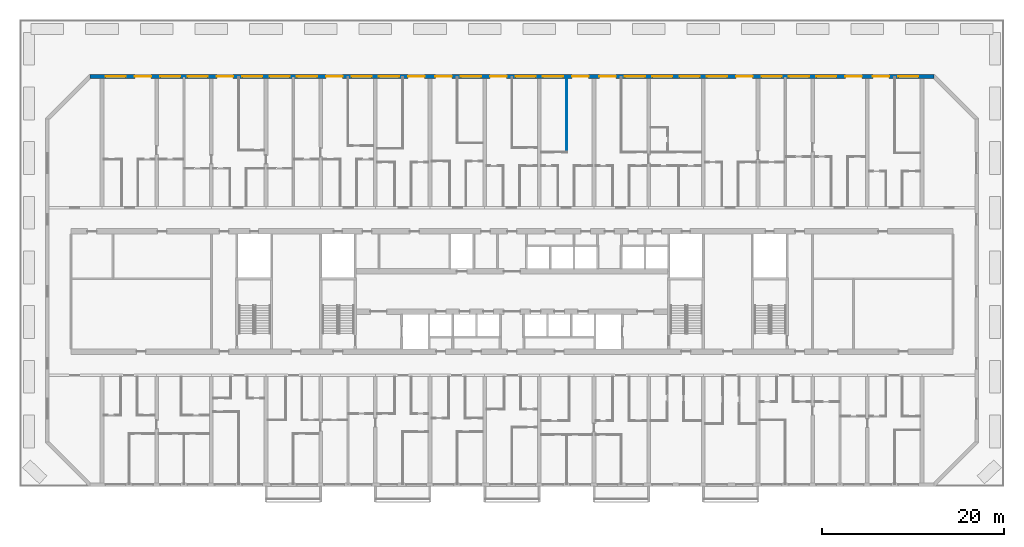
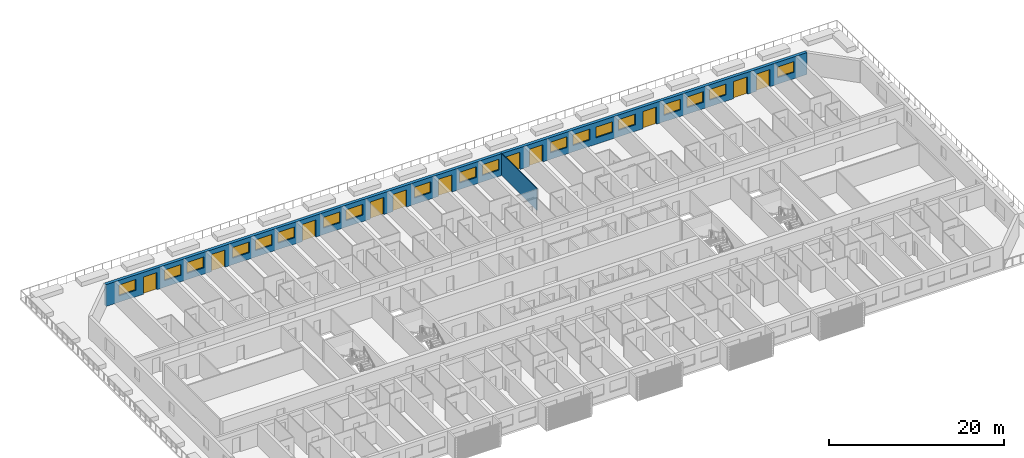
# One storey, part 14 of 23: 19 windows, 11 doors, 2 walls, 30 openings.
"""IFC4 building model written with IfcOpenShell, lengths in metres."""

from ifc_helpers import new_model, si_unit, direction, frame, frame_2d, origin, place, context, subcontext, project, spatial, rectangle, extrude, material, layer, layer_set, type_object, element, fill, save


model = new_model("IFC4")

# Units and contexts
model_context = context("Model", 3, precision=1e-05, world=origin(), true_north=direction((0.0, 1.0)))
body_context = subcontext(model_context, "Body", "Model", "MODEL_VIEW")
ifc_project = project(units=[si_unit("LENGTHUNIT", "METRE"), si_unit("AREAUNIT", "SQUARE_METRE"), si_unit("VOLUMEUNIT", "CUBIC_METRE"), si_unit("PLANEANGLEUNIT", "RADIAN"), si_unit("MASSUNIT", "GRAM", prefix="KILO")], contexts=[model_context])

# Site, building, storey
site_placement = place(None, origin())
site = spatial("IfcSite", under=ifc_project, at=site_placement, CompositionType="ELEMENT")
building_placement = place(site_placement, origin())
building = spatial("IfcBuilding", under=site, at=building_placement, Name="Poui Terraces", CompositionType="ELEMENT")
storey_placement = place(building_placement, frame((0.0, 0.0, 23.39990234375)))
storey = spatial("IfcBuildingStorey", under=building, at=storey_placement, Name="L05", CompositionType="ELEMENT", Elevation=23.39990234375)

# Wall, openings, doors, windows
ifc_material_1 = material(Name="Precast concrete 40 MPa", Category="concrete")
ifc_layer_1 = layer(ifc_material_1, 0.39990234375)
ifc_layer_set_1 = layer_set([ifc_layer_1], Name="Precast concrete 40 MPa")
wall_type_1 = type_object("IfcWallType", Name="EXTERNAL WALL 400", PredefinedType="STANDARD", material=ifc_layer_set_1)
wall_1_placement = place(storey_placement, frame((97.317138671875, 44.800048828125, 0.0), z_axis=(0.0, 0.0, 1.0), x_axis=(-1.0, 0.0, 0.0)))
wall_1 = element("IfcWall", 1, at=wall_1_placement, inside=storey, type_object=wall_type_1, Name="EXTERNAL WALL N", PredefinedType="STANDARD", context=body_context, shape_type="SweptSolid", body=[
    extrude(rectangle(XDim=92.63427734375, YDim=0.39990234375, at=frame_2d((46.317138671875, 0.0))), origin(), (0.0, 0.0, 1.0), 3.050048828125),
])
opening_1_placement = place(wall_1_placement, frame((88.71728515625, 0.0, 0.89990234375)))
opening_1 = element("IfcOpeningElement", 2, at=opening_1_placement, cuts=wall_1, Name="Opening W1", PredefinedType="OPENING", context=body_context, shape_type="SweptSolid", body=[
    extrude(rectangle(XDim=2.199951171875, YDim=1.5, at=frame_2d((1.10009765625, 0.75))), frame((0.0, 0.2099609375, 0.0), z_axis=(0.0, -1.0, 0.0), x_axis=(1.0, 0.0, 0.0)), (0.0, 0.0, 1.0), 0.419921875),
])
opening_2_placement = place(wall_1_placement, frame((85.917236328125, 0.0, 0.0)))
opening_2 = element("IfcOpeningElement", 3, at=opening_2_placement, cuts=wall_1, Name="Opening BD1", PredefinedType="OPENING", context=body_context, shape_type="SweptSolid", body=[
    extrude(rectangle(XDim=1.800048828125, YDim=2.39990234375, at=frame_2d((0.89990234375, 1.199951171875))), frame((0.0, 0.2099609375, 0.0), z_axis=(0.0, -1.0, 0.0), x_axis=(1.0, 0.0, 0.0)), (0.0, 0.0, 1.0), 0.419921875),
])
opening_3_placement = place(wall_1_placement, frame((82.71728515625, 0.0, 0.89990234375)))
opening_3 = element("IfcOpeningElement", 4, at=opening_3_placement, cuts=wall_1, Name="Opening W1", PredefinedType="OPENING", context=body_context, shape_type="SweptSolid", body=[
    extrude(rectangle(XDim=2.199951171875, YDim=1.5, at=frame_2d((1.10009765625, 0.75))), frame((0.0, 0.2099609375, 0.0), z_axis=(0.0, -1.0, 0.0), x_axis=(1.0, 0.0, 0.0)), (0.0, 0.0, 1.0), 0.419921875),
])
opening_4_placement = place(wall_1_placement, frame((79.71728515625, 0.0, 0.89990234375)))
opening_4 = element("IfcOpeningElement", 5, at=opening_4_placement, cuts=wall_1, Name="Opening W1", PredefinedType="OPENING", context=body_context, shape_type="SweptSolid", body=[
    extrude(rectangle(XDim=2.199951171875, YDim=1.5, at=frame_2d((1.10009765625, 0.75))), frame((0.0, 0.2099609375, 0.0), z_axis=(0.0, -1.0, 0.0), x_axis=(1.0, 0.0, 0.0)), (0.0, 0.0, 1.0), 0.419921875),
])
opening_5_placement = place(wall_1_placement, frame((76.917236328125, 0.0, 0.0)))
opening_5 = element("IfcOpeningElement", 6, at=opening_5_placement, cuts=wall_1, Name="Opening BD1", PredefinedType="OPENING", context=body_context, shape_type="SweptSolid", body=[
    extrude(rectangle(XDim=1.800048828125, YDim=2.39990234375, at=frame_2d((0.89990234375, 1.199951171875))), frame((0.0, 0.2099609375, 0.0), z_axis=(0.0, -1.0, 0.0), x_axis=(1.0, 0.0, 0.0)), (0.0, 0.0, 1.0), 0.419921875),
])
opening_6_placement = place(wall_1_placement, frame((73.71728515625, 0.0, 0.89990234375)))
opening_6 = element("IfcOpeningElement", 7, at=opening_6_placement, cuts=wall_1, Name="Opening W1", PredefinedType="OPENING", context=body_context, shape_type="SweptSolid", body=[
    extrude(rectangle(XDim=2.199951171875, YDim=1.5, at=frame_2d((1.10009765625, 0.75))), frame((0.0, 0.2099609375, 0.0), z_axis=(0.0, -1.0, 0.0), x_axis=(1.0, 0.0, 0.0)), (0.0, 0.0, 1.0), 0.419921875),
])
opening_7_placement = place(wall_1_placement, frame((70.71728515625, 0.0, 0.89990234375)))
opening_7 = element("IfcOpeningElement", 8, at=opening_7_placement, cuts=wall_1, Name="Opening W1", PredefinedType="OPENING", context=body_context, shape_type="SweptSolid", body=[
    extrude(rectangle(XDim=2.199951171875, YDim=1.5, at=frame_2d((1.10009765625, 0.75))), frame((0.0, 0.2099609375, 0.0), z_axis=(0.0, -1.0, 0.0), x_axis=(1.0, 0.0, 0.0)), (0.0, 0.0, 1.0), 0.419921875),
])
opening_8_placement = place(wall_1_placement, frame((67.71728515625, 0.0, 0.89990234375)))
opening_8 = element("IfcOpeningElement", 9, at=opening_8_placement, cuts=wall_1, Name="Opening W1", PredefinedType="OPENING", context=body_context, shape_type="SweptSolid", body=[
    extrude(rectangle(XDim=2.199951171875, YDim=1.5, at=frame_2d((1.10009765625, 0.75))), frame((0.0, 0.2099609375, 0.0), z_axis=(0.0, -1.0, 0.0), x_axis=(1.0, 0.0, 0.0)), (0.0, 0.0, 1.0), 0.419921875),
])
opening_9_placement = place(wall_1_placement, frame((64.917236328125, 0.0, 0.0)))
opening_9 = element("IfcOpeningElement", 10, at=opening_9_placement, cuts=wall_1, Name="Opening BD1", PredefinedType="OPENING", context=body_context, shape_type="SweptSolid", body=[
    extrude(rectangle(XDim=1.800048828125, YDim=2.39990234375, at=frame_2d((0.89990234375, 1.199951171875))), frame((0.0, 0.2099609375, 0.0), z_axis=(0.0, -1.0, 0.0), x_axis=(1.0, 0.0, 0.0)), (0.0, 0.0, 1.0), 0.419921875),
])
opening_10_placement = place(wall_1_placement, frame((61.71728515625, 0.0, 0.89990234375)))
opening_10 = element("IfcOpeningElement", 11, at=opening_10_placement, cuts=wall_1, Name="Opening W1", PredefinedType="OPENING", context=body_context, shape_type="SweptSolid", body=[
    extrude(rectangle(XDim=2.199951171875, YDim=1.5, at=frame_2d((1.10009765625, 0.75))), frame((0.0, 0.2099609375, 0.0), z_axis=(0.0, -1.0, 0.0), x_axis=(1.0, 0.0, 0.0)), (0.0, 0.0, 1.0), 0.419921875),
])
opening_11_placement = place(wall_1_placement, frame((58.71728515625, 0.0, 0.89990234375)))
opening_11 = element("IfcOpeningElement", 12, at=opening_11_placement, cuts=wall_1, Name="Opening W1", PredefinedType="OPENING", context=body_context, shape_type="SweptSolid", body=[
    extrude(rectangle(XDim=2.199951171875, YDim=1.5, at=frame_2d((1.10009765625, 0.75))), frame((0.0, 0.2099609375, 0.0), z_axis=(0.0, -1.0, 0.0), x_axis=(1.0, 0.0, 0.0)), (0.0, 0.0, 1.0), 0.419921875),
])
opening_12_placement = place(wall_1_placement, frame((55.917236328125, 0.0, 0.0)))
opening_12 = element("IfcOpeningElement", 13, at=opening_12_placement, cuts=wall_1, Name="Opening BD1", PredefinedType="OPENING", context=body_context, shape_type="SweptSolid", body=[
    extrude(rectangle(XDim=1.800048828125, YDim=2.39990234375, at=frame_2d((0.89990234375, 1.199951171875))), frame((0.0, 0.2099609375, 0.0), z_axis=(0.0, -1.0, 0.0), x_axis=(1.0, 0.0, 0.0)), (0.0, 0.0, 1.0), 0.419921875),
])
opening_13_placement = place(wall_1_placement, frame((52.917236328125, 0.0, 0.0)))
opening_13 = element("IfcOpeningElement", 14, at=opening_13_placement, cuts=wall_1, Name="Opening BD1", PredefinedType="OPENING", context=body_context, shape_type="SweptSolid", body=[
    extrude(rectangle(XDim=1.800048828125, YDim=2.39990234375, at=frame_2d((0.89990234375, 1.199951171875))), frame((0.0, 0.2099609375, 0.0), z_axis=(0.0, -1.0, 0.0), x_axis=(1.0, 0.0, 0.0)), (0.0, 0.0, 1.0), 0.419921875),
])
opening_14_placement = place(wall_1_placement, frame((49.71728515625, 0.0, 0.89990234375)))
opening_14 = element("IfcOpeningElement", 15, at=opening_14_placement, cuts=wall_1, Name="Opening W1", PredefinedType="OPENING", context=body_context, shape_type="SweptSolid", body=[
    extrude(rectangle(XDim=2.199951171875, YDim=1.5, at=frame_2d((1.10009765625, 0.75))), frame((0.0, 0.2099609375, 0.0), z_axis=(0.0, -1.0, 0.0), x_axis=(1.0, 0.0, 0.0)), (0.0, 0.0, 1.0), 0.419921875),
])
opening_15_placement = place(wall_1_placement, frame((46.917236328125, 0.0, 0.0)))
opening_15 = element("IfcOpeningElement", 16, at=opening_15_placement, cuts=wall_1, Name="Opening BD1", PredefinedType="OPENING", context=body_context, shape_type="SweptSolid", body=[
    extrude(rectangle(XDim=1.800048828125, YDim=2.39990234375, at=frame_2d((0.89990234375, 1.199951171875))), frame((0.0, 0.2099609375, 0.0), z_axis=(0.0, -1.0, 0.0), x_axis=(1.0, 0.0, 0.0)), (0.0, 0.0, 1.0), 0.419921875),
])
opening_16_placement = place(wall_1_placement, frame((43.71728515625, 0.0, 0.89990234375)))
opening_16 = element("IfcOpeningElement", 17, at=opening_16_placement, cuts=wall_1, Name="Opening W1", PredefinedType="OPENING", context=body_context, shape_type="SweptSolid", body=[
    extrude(rectangle(XDim=2.199951171875, YDim=1.5, at=frame_2d((1.10009765625, 0.75))), frame((0.0, 0.2099609375, 0.0), z_axis=(0.0, -1.0, 0.0), x_axis=(1.0, 0.0, 0.0)), (0.0, 0.0, 1.0), 0.419921875),
])
opening_17_placement = place(wall_1_placement, frame((40.71728515625, 0.0, 0.89990234375)))
opening_17 = element("IfcOpeningElement", 18, at=opening_17_placement, cuts=wall_1, Name="Opening W1", PredefinedType="OPENING", context=body_context, shape_type="SweptSolid", body=[
    extrude(rectangle(XDim=2.199951171875, YDim=1.5, at=frame_2d((1.10009765625, 0.75))), frame((0.0, 0.2099609375, 0.0), z_axis=(0.0, -1.0, 0.0), x_axis=(1.0, 0.0, 0.0)), (0.0, 0.0, 1.0), 0.419921875),
])
opening_18_placement = place(wall_1_placement, frame((37.917236328125, 0.0, 0.0)))
opening_18 = element("IfcOpeningElement", 19, at=opening_18_placement, cuts=wall_1, Name="Opening BD1", PredefinedType="OPENING", context=body_context, shape_type="SweptSolid", body=[
    extrude(rectangle(XDim=1.800048828125, YDim=2.39990234375, at=frame_2d((0.89990234375, 1.199951171875))), frame((0.0, 0.2099609375, 0.0), z_axis=(0.0, -1.0, 0.0), x_axis=(1.0, 0.0, 0.0)), (0.0, 0.0, 1.0), 0.419921875),
])
opening_19_placement = place(wall_1_placement, frame((34.917236328125, 0.0, 0.0)))
opening_19 = element("IfcOpeningElement", 20, at=opening_19_placement, cuts=wall_1, Name="Opening BD1", PredefinedType="OPENING", context=body_context, shape_type="SweptSolid", body=[
    extrude(rectangle(XDim=1.800048828125, YDim=2.39990234375, at=frame_2d((0.89990234375, 1.199951171875))), frame((0.0, 0.2099609375, 0.0), z_axis=(0.0, -1.0, 0.0), x_axis=(1.0, 0.0, 0.0)), (0.0, 0.0, 1.0), 0.419921875),
])
opening_20_placement = place(wall_1_placement, frame((31.71728515625, 0.0, 0.89990234375)))
opening_20 = element("IfcOpeningElement", 21, at=opening_20_placement, cuts=wall_1, Name="Opening W1", PredefinedType="OPENING", context=body_context, shape_type="SweptSolid", body=[
    extrude(rectangle(XDim=2.199951171875, YDim=1.5, at=frame_2d((1.10009765625, 0.75))), frame((0.0, 0.2099609375, 0.0), z_axis=(0.0, -1.0, 0.0), x_axis=(1.0, 0.0, 0.0)), (0.0, 0.0, 1.0), 0.419921875),
])
opening_21_placement = place(wall_1_placement, frame((28.71728515625, 0.0, 0.89990234375)))
opening_21 = element("IfcOpeningElement", 22, at=opening_21_placement, cuts=wall_1, Name="Opening W1", PredefinedType="OPENING", context=body_context, shape_type="SweptSolid", body=[
    extrude(rectangle(XDim=2.199951171875, YDim=1.5, at=frame_2d((1.10009765625, 0.75))), frame((0.0, 0.2099609375, 0.0), z_axis=(0.0, -1.0, 0.0), x_axis=(1.0, 0.0, 0.0)), (0.0, 0.0, 1.0), 0.419921875),
])
opening_22_placement = place(wall_1_placement, frame((25.71728515625, 0.0, 0.89990234375)))
opening_22 = element("IfcOpeningElement", 23, at=opening_22_placement, cuts=wall_1, Name="Opening W1", PredefinedType="OPENING", context=body_context, shape_type="SweptSolid", body=[
    extrude(rectangle(XDim=2.199951171875, YDim=1.5, at=frame_2d((1.10009765625, 0.75))), frame((0.0, 0.2099609375, 0.0), z_axis=(0.0, -1.0, 0.0), x_axis=(1.0, 0.0, 0.0)), (0.0, 0.0, 1.0), 0.419921875),
])
opening_23_placement = place(wall_1_placement, frame((22.71728515625, 0.0, 0.89990234375)))
opening_23 = element("IfcOpeningElement", 24, at=opening_23_placement, cuts=wall_1, Name="Opening W1", PredefinedType="OPENING", context=body_context, shape_type="SweptSolid", body=[
    extrude(rectangle(XDim=2.199951171875, YDim=1.5, at=frame_2d((1.10009765625, 0.75))), frame((0.0, 0.2099609375, 0.0), z_axis=(0.0, -1.0, 0.0), x_axis=(1.0, 0.0, 0.0)), (0.0, 0.0, 1.0), 0.419921875),
])
opening_24_placement = place(wall_1_placement, frame((19.917236328125, 0.0, 0.0)))
opening_24 = element("IfcOpeningElement", 25, at=opening_24_placement, cuts=wall_1, Name="Opening BD1", PredefinedType="OPENING", context=body_context, shape_type="SweptSolid", body=[
    extrude(rectangle(XDim=1.800048828125, YDim=2.39990234375, at=frame_2d((0.89990234375, 1.199951171875))), frame((0.0, 0.2099609375, 0.0), z_axis=(0.0, -1.0, 0.0), x_axis=(1.0, 0.0, 0.0)), (0.0, 0.0, 1.0), 0.419921875),
])
opening_25_placement = place(wall_1_placement, frame((16.71728515625, 0.0, 0.89990234375)))
opening_25 = element("IfcOpeningElement", 26, at=opening_25_placement, cuts=wall_1, Name="Opening W1", PredefinedType="OPENING", context=body_context, shape_type="SweptSolid", body=[
    extrude(rectangle(XDim=2.199951171875, YDim=1.5, at=frame_2d((1.10009765625, 0.75))), frame((0.0, 0.2099609375, 0.0), z_axis=(0.0, -1.0, 0.0), x_axis=(1.0, 0.0, 0.0)), (0.0, 0.0, 1.0), 0.419921875),
])
opening_26_placement = place(wall_1_placement, frame((13.71728515625, 0.0, 0.89990234375)))
opening_26 = element("IfcOpeningElement", 27, at=opening_26_placement, cuts=wall_1, Name="Opening W1", PredefinedType="OPENING", context=body_context, shape_type="SweptSolid", body=[
    extrude(rectangle(XDim=2.199951171875, YDim=1.5, at=frame_2d((1.10009765625, 0.75))), frame((0.0, 0.2099609375, 0.0), z_axis=(0.0, -1.0, 0.0), x_axis=(1.0, 0.0, 0.0)), (0.0, 0.0, 1.0), 0.419921875),
])
opening_27_placement = place(wall_1_placement, frame((10.71728515625, 0.0, 0.89990234375)))
opening_27 = element("IfcOpeningElement", 28, at=opening_27_placement, cuts=wall_1, Name="Opening W1", PredefinedType="OPENING", context=body_context, shape_type="SweptSolid", body=[
    extrude(rectangle(XDim=2.199951171875, YDim=1.5, at=frame_2d((1.10009765625, 0.75))), frame((0.0, 0.2099609375, 0.0), z_axis=(0.0, -1.0, 0.0), x_axis=(1.0, 0.0, 0.0)), (0.0, 0.0, 1.0), 0.419921875),
])
opening_28_placement = place(wall_1_placement, frame((7.917236328125, 0.0, 0.0)))
opening_28 = element("IfcOpeningElement", 29, at=opening_28_placement, cuts=wall_1, Name="Opening BD1", PredefinedType="OPENING", context=body_context, shape_type="SweptSolid", body=[
    extrude(rectangle(XDim=1.800048828125, YDim=2.39990234375, at=frame_2d((0.89990234375, 1.199951171875))), frame((0.0, 0.2099609375, 0.0), z_axis=(0.0, -1.0, 0.0), x_axis=(1.0, 0.0, 0.0)), (0.0, 0.0, 1.0), 0.419921875),
])
opening_29_placement = place(wall_1_placement, frame((4.917236328125, 0.0, 0.0)))
opening_29 = element("IfcOpeningElement", 30, at=opening_29_placement, cuts=wall_1, Name="Opening BD1", PredefinedType="OPENING", context=body_context, shape_type="SweptSolid", body=[
    extrude(rectangle(XDim=1.800048828125, YDim=2.39990234375, at=frame_2d((0.89990234375, 1.199951171875))), frame((0.0, 0.2099609375, 0.0), z_axis=(0.0, -1.0, 0.0), x_axis=(1.0, 0.0, 0.0)), (0.0, 0.0, 1.0), 0.419921875),
])
opening_30_placement = place(wall_1_placement, frame((1.71728515625, 0.0, 0.89990234375)))
opening_30 = element("IfcOpeningElement", 31, at=opening_30_placement, cuts=wall_1, Name="Opening W1", PredefinedType="OPENING", context=body_context, shape_type="SweptSolid", body=[
    extrude(rectangle(XDim=2.199951171875, YDim=1.5, at=frame_2d((1.10009765625, 0.75))), frame((0.0, 0.2099609375, 0.0), z_axis=(0.0, -1.0, 0.0), x_axis=(1.0, 0.0, 0.0)), (0.0, 0.0, 1.0), 0.419921875),
])
ifc_material_2 = material(Name="Clear glass in aluminium frame", Category="aluminium")
door_type = type_object("IfcDoorType", Name="BALCONY DOOR 1800X2400", OperationType="DOUBLE_DOOR_SLIDING", PredefinedType="DOOR", material=ifc_material_2)
door_1_placement = place(opening_2_placement, origin())
door_1 = element("IfcDoor", 32, at=door_1_placement, inside=storey, type_object=door_type, Name="BD1 BALCONY DOOR", OperationType="DOUBLE_DOOR_SLIDING", OverallHeight=2.39990234375, OverallWidth=1.800048828125, PredefinedType="DOOR", context=body_context, shape_type="SweptSolid", body=[
    extrude(rectangle(XDim=1.800048828125, YDim=2.39990234375, at=frame_2d((0.89990234375, 1.199951171875))), frame((0.0, 0.02490234375, 0.0), z_axis=(0.0, -1.0, 0.0), x_axis=(1.0, 0.0, 0.0)), (0.0, 0.0, 1.0), 0.050048828125),
])
fill(opening_2, door_1)
door_2_placement = place(opening_5_placement, origin())
door_2 = element("IfcDoor", 33, at=door_2_placement, inside=storey, type_object=door_type, Name="BD1 BALCONY DOOR", OperationType="DOUBLE_DOOR_SLIDING", OverallHeight=2.39990234375, OverallWidth=1.800048828125, PredefinedType="DOOR", context=body_context, shape_type="SweptSolid", body=[
    extrude(rectangle(XDim=1.800048828125, YDim=2.39990234375, at=frame_2d((0.89990234375, 1.199951171875))), frame((0.0, 0.02490234375, 0.0), z_axis=(0.0, -1.0, 0.0), x_axis=(1.0, 0.0, 0.0)), (0.0, 0.0, 1.0), 0.050048828125),
])
fill(opening_5, door_2)
door_3_placement = place(opening_9_placement, origin())
door_3 = element("IfcDoor", 34, at=door_3_placement, inside=storey, type_object=door_type, Name="BD1 BALCONY DOOR", OperationType="DOUBLE_DOOR_SLIDING", OverallHeight=2.39990234375, OverallWidth=1.800048828125, PredefinedType="DOOR", context=body_context, shape_type="SweptSolid", body=[
    extrude(rectangle(XDim=1.800048828125, YDim=2.39990234375, at=frame_2d((0.89990234375, 1.199951171875))), frame((0.0, 0.02490234375, 0.0), z_axis=(0.0, -1.0, 0.0), x_axis=(1.0, 0.0, 0.0)), (0.0, 0.0, 1.0), 0.050048828125),
])
fill(opening_9, door_3)
door_4_placement = place(opening_12_placement, origin())
door_4 = element("IfcDoor", 35, at=door_4_placement, inside=storey, type_object=door_type, Name="BD1 BALCONY DOOR", OperationType="DOUBLE_DOOR_SLIDING", OverallHeight=2.39990234375, OverallWidth=1.800048828125, PredefinedType="DOOR", context=body_context, shape_type="SweptSolid", body=[
    extrude(rectangle(XDim=1.800048828125, YDim=2.39990234375, at=frame_2d((0.89990234375, 1.199951171875))), frame((0.0, 0.02490234375, 0.0), z_axis=(0.0, -1.0, 0.0), x_axis=(1.0, 0.0, 0.0)), (0.0, 0.0, 1.0), 0.050048828125),
])
fill(opening_12, door_4)
door_5_placement = place(opening_13_placement, origin())
door_5 = element("IfcDoor", 36, at=door_5_placement, inside=storey, type_object=door_type, Name="BD1 BALCONY DOOR", OperationType="DOUBLE_DOOR_SLIDING", OverallHeight=2.39990234375, OverallWidth=1.800048828125, PredefinedType="DOOR", context=body_context, shape_type="SweptSolid", body=[
    extrude(rectangle(XDim=1.800048828125, YDim=2.39990234375, at=frame_2d((0.89990234375, 1.199951171875))), frame((0.0, 0.02490234375, 0.0), z_axis=(0.0, -1.0, 0.0), x_axis=(1.0, 0.0, 0.0)), (0.0, 0.0, 1.0), 0.050048828125),
])
fill(opening_13, door_5)
door_6_placement = place(opening_15_placement, origin())
door_6 = element("IfcDoor", 37, at=door_6_placement, inside=storey, type_object=door_type, Name="BD1 BALCONY DOOR", OperationType="DOUBLE_DOOR_SLIDING", OverallHeight=2.39990234375, OverallWidth=1.800048828125, PredefinedType="DOOR", context=body_context, shape_type="SweptSolid", body=[
    extrude(rectangle(XDim=1.800048828125, YDim=2.39990234375, at=frame_2d((0.89990234375, 1.199951171875))), frame((0.0, 0.02490234375, 0.0), z_axis=(0.0, -1.0, 0.0), x_axis=(1.0, 0.0, 0.0)), (0.0, 0.0, 1.0), 0.050048828125),
])
fill(opening_15, door_6)
door_7_placement = place(opening_18_placement, origin())
door_7 = element("IfcDoor", 38, at=door_7_placement, inside=storey, type_object=door_type, Name="BD1 BALCONY DOOR", OperationType="DOUBLE_DOOR_SLIDING", OverallHeight=2.39990234375, OverallWidth=1.800048828125, PredefinedType="DOOR", context=body_context, shape_type="SweptSolid", body=[
    extrude(rectangle(XDim=1.800048828125, YDim=2.39990234375, at=frame_2d((0.89990234375, 1.199951171875))), frame((0.0, 0.02490234375, 0.0), z_axis=(0.0, -1.0, 0.0), x_axis=(1.0, 0.0, 0.0)), (0.0, 0.0, 1.0), 0.050048828125),
])
fill(opening_18, door_7)
door_8_placement = place(opening_19_placement, origin())
door_8 = element("IfcDoor", 39, at=door_8_placement, inside=storey, type_object=door_type, Name="BD1 BALCONY DOOR", OperationType="DOUBLE_DOOR_SLIDING", OverallHeight=2.39990234375, OverallWidth=1.800048828125, PredefinedType="DOOR", context=body_context, shape_type="SweptSolid", body=[
    extrude(rectangle(XDim=1.800048828125, YDim=2.39990234375, at=frame_2d((0.89990234375, 1.199951171875))), frame((0.0, 0.02490234375, 0.0), z_axis=(0.0, -1.0, 0.0), x_axis=(1.0, 0.0, 0.0)), (0.0, 0.0, 1.0), 0.050048828125),
])
fill(opening_19, door_8)
door_9_placement = place(opening_24_placement, origin())
door_9 = element("IfcDoor", 40, at=door_9_placement, inside=storey, type_object=door_type, Name="BD1 BALCONY DOOR", OperationType="DOUBLE_DOOR_SLIDING", OverallHeight=2.39990234375, OverallWidth=1.800048828125, PredefinedType="DOOR", context=body_context, shape_type="SweptSolid", body=[
    extrude(rectangle(XDim=1.800048828125, YDim=2.39990234375, at=frame_2d((0.89990234375, 1.199951171875))), frame((0.0, 0.02490234375, 0.0), z_axis=(0.0, -1.0, 0.0), x_axis=(1.0, 0.0, 0.0)), (0.0, 0.0, 1.0), 0.050048828125),
])
fill(opening_24, door_9)
door_10_placement = place(opening_28_placement, origin())
door_10 = element("IfcDoor", 41, at=door_10_placement, inside=storey, type_object=door_type, Name="BD1 BALCONY DOOR", OperationType="DOUBLE_DOOR_SLIDING", OverallHeight=2.39990234375, OverallWidth=1.800048828125, PredefinedType="DOOR", context=body_context, shape_type="SweptSolid", body=[
    extrude(rectangle(XDim=1.800048828125, YDim=2.39990234375, at=frame_2d((0.89990234375, 1.199951171875))), frame((0.0, 0.02490234375, 0.0), z_axis=(0.0, -1.0, 0.0), x_axis=(1.0, 0.0, 0.0)), (0.0, 0.0, 1.0), 0.050048828125),
])
fill(opening_28, door_10)
door_11_placement = place(opening_29_placement, origin())
door_11 = element("IfcDoor", 42, at=door_11_placement, inside=storey, type_object=door_type, Name="BD1 BALCONY DOOR", OperationType="DOUBLE_DOOR_SLIDING", OverallHeight=2.39990234375, OverallWidth=1.800048828125, PredefinedType="DOOR", context=body_context, shape_type="SweptSolid", body=[
    extrude(rectangle(XDim=1.800048828125, YDim=2.39990234375, at=frame_2d((0.89990234375, 1.199951171875))), frame((0.0, 0.02490234375, 0.0), z_axis=(0.0, -1.0, 0.0), x_axis=(1.0, 0.0, 0.0)), (0.0, 0.0, 1.0), 0.050048828125),
])
fill(opening_29, door_11)
window_type = type_object("IfcWindowType", Name="WINDOW 2200X1500", PartitioningType="DOUBLE_PANEL_HORIZONTAL", PredefinedType="WINDOW", material=ifc_material_2)
window_1_placement = place(opening_1_placement, origin())
window_1 = element("IfcWindow", 43, at=window_1_placement, inside=storey, type_object=window_type, Name="W1 WINDOW", OverallHeight=1.5, OverallWidth=2.199951171875, PartitioningType="DOUBLE_PANEL_HORIZONTAL", PredefinedType="WINDOW", context=body_context, shape_type="SweptSolid", body=[
    extrude(rectangle(XDim=2.199951171875, YDim=1.5, at=frame_2d((1.10009765625, 0.75))), frame((0.0, 0.030029296875, 0.0), z_axis=(0.0, -1.0, 0.0), x_axis=(1.0, 0.0, 0.0)), (0.0, 0.0, 1.0), 0.06005859375),
])
fill(opening_1, window_1)
window_2_placement = place(opening_3_placement, origin())
window_2 = element("IfcWindow", 44, at=window_2_placement, inside=storey, type_object=window_type, Name="W1 WINDOW", OverallHeight=1.5, OverallWidth=2.199951171875, PartitioningType="DOUBLE_PANEL_HORIZONTAL", PredefinedType="WINDOW", context=body_context, shape_type="SweptSolid", body=[
    extrude(rectangle(XDim=2.199951171875, YDim=1.5, at=frame_2d((1.10009765625, 0.75))), frame((0.0, 0.030029296875, 0.0), z_axis=(0.0, -1.0, 0.0), x_axis=(1.0, 0.0, 0.0)), (0.0, 0.0, 1.0), 0.06005859375),
])
fill(opening_3, window_2)
window_3_placement = place(opening_4_placement, origin())
window_3 = element("IfcWindow", 45, at=window_3_placement, inside=storey, type_object=window_type, Name="W1 WINDOW", OverallHeight=1.5, OverallWidth=2.199951171875, PartitioningType="DOUBLE_PANEL_HORIZONTAL", PredefinedType="WINDOW", context=body_context, shape_type="SweptSolid", body=[
    extrude(rectangle(XDim=2.199951171875, YDim=1.5, at=frame_2d((1.10009765625, 0.75))), frame((0.0, 0.030029296875, 0.0), z_axis=(0.0, -1.0, 0.0), x_axis=(1.0, 0.0, 0.0)), (0.0, 0.0, 1.0), 0.06005859375),
])
fill(opening_4, window_3)
window_4_placement = place(opening_6_placement, origin())
window_4 = element("IfcWindow", 46, at=window_4_placement, inside=storey, type_object=window_type, Name="W1 WINDOW", OverallHeight=1.5, OverallWidth=2.199951171875, PartitioningType="DOUBLE_PANEL_HORIZONTAL", PredefinedType="WINDOW", context=body_context, shape_type="SweptSolid", body=[
    extrude(rectangle(XDim=2.199951171875, YDim=1.5, at=frame_2d((1.10009765625, 0.75))), frame((0.0, 0.030029296875, 0.0), z_axis=(0.0, -1.0, 0.0), x_axis=(1.0, 0.0, 0.0)), (0.0, 0.0, 1.0), 0.06005859375),
])
fill(opening_6, window_4)
window_5_placement = place(opening_7_placement, origin())
window_5 = element("IfcWindow", 47, at=window_5_placement, inside=storey, type_object=window_type, Name="W1 WINDOW", OverallHeight=1.5, OverallWidth=2.199951171875, PartitioningType="DOUBLE_PANEL_HORIZONTAL", PredefinedType="WINDOW", context=body_context, shape_type="SweptSolid", body=[
    extrude(rectangle(XDim=2.199951171875, YDim=1.5, at=frame_2d((1.10009765625, 0.75))), frame((0.0, 0.030029296875, 0.0), z_axis=(0.0, -1.0, 0.0), x_axis=(1.0, 0.0, 0.0)), (0.0, 0.0, 1.0), 0.06005859375),
])
fill(opening_7, window_5)
window_6_placement = place(opening_8_placement, origin())
window_6 = element("IfcWindow", 48, at=window_6_placement, inside=storey, type_object=window_type, Name="W1 WINDOW", OverallHeight=1.5, OverallWidth=2.199951171875, PartitioningType="DOUBLE_PANEL_HORIZONTAL", PredefinedType="WINDOW", context=body_context, shape_type="SweptSolid", body=[
    extrude(rectangle(XDim=2.199951171875, YDim=1.5, at=frame_2d((1.10009765625, 0.75))), frame((0.0, 0.030029296875, 0.0), z_axis=(0.0, -1.0, 0.0), x_axis=(1.0, 0.0, 0.0)), (0.0, 0.0, 1.0), 0.06005859375),
])
fill(opening_8, window_6)
window_7_placement = place(opening_10_placement, origin())
window_7 = element("IfcWindow", 49, at=window_7_placement, inside=storey, type_object=window_type, Name="W1 WINDOW", OverallHeight=1.5, OverallWidth=2.199951171875, PartitioningType="DOUBLE_PANEL_HORIZONTAL", PredefinedType="WINDOW", context=body_context, shape_type="SweptSolid", body=[
    extrude(rectangle(XDim=2.199951171875, YDim=1.5, at=frame_2d((1.10009765625, 0.75))), frame((0.0, 0.030029296875, 0.0), z_axis=(0.0, -1.0, 0.0), x_axis=(1.0, 0.0, 0.0)), (0.0, 0.0, 1.0), 0.06005859375),
])
fill(opening_10, window_7)
window_8_placement = place(opening_11_placement, origin())
window_8 = element("IfcWindow", 50, at=window_8_placement, inside=storey, type_object=window_type, Name="W1 WINDOW", OverallHeight=1.5, OverallWidth=2.199951171875, PartitioningType="DOUBLE_PANEL_HORIZONTAL", PredefinedType="WINDOW", context=body_context, shape_type="SweptSolid", body=[
    extrude(rectangle(XDim=2.199951171875, YDim=1.5, at=frame_2d((1.10009765625, 0.75))), frame((0.0, 0.030029296875, 0.0), z_axis=(0.0, -1.0, 0.0), x_axis=(1.0, 0.0, 0.0)), (0.0, 0.0, 1.0), 0.06005859375),
])
fill(opening_11, window_8)
window_9_placement = place(opening_14_placement, origin())
window_9 = element("IfcWindow", 51, at=window_9_placement, inside=storey, type_object=window_type, Name="W1 WINDOW", OverallHeight=1.5, OverallWidth=2.199951171875, PartitioningType="DOUBLE_PANEL_HORIZONTAL", PredefinedType="WINDOW", context=body_context, shape_type="SweptSolid", body=[
    extrude(rectangle(XDim=2.199951171875, YDim=1.5, at=frame_2d((1.10009765625, 0.75))), frame((0.0, 0.030029296875, 0.0), z_axis=(0.0, -1.0, 0.0), x_axis=(1.0, 0.0, 0.0)), (0.0, 0.0, 1.0), 0.06005859375),
])
fill(opening_14, window_9)
window_10_placement = place(opening_16_placement, origin())
window_10 = element("IfcWindow", 52, at=window_10_placement, inside=storey, type_object=window_type, Name="W1 WINDOW", OverallHeight=1.5, OverallWidth=2.199951171875, PartitioningType="DOUBLE_PANEL_HORIZONTAL", PredefinedType="WINDOW", context=body_context, shape_type="SweptSolid", body=[
    extrude(rectangle(XDim=2.199951171875, YDim=1.5, at=frame_2d((1.10009765625, 0.75))), frame((0.0, 0.030029296875, 0.0), z_axis=(0.0, -1.0, 0.0), x_axis=(1.0, 0.0, 0.0)), (0.0, 0.0, 1.0), 0.06005859375),
])
fill(opening_16, window_10)
window_11_placement = place(opening_17_placement, origin())
window_11 = element("IfcWindow", 53, at=window_11_placement, inside=storey, type_object=window_type, Name="W1 WINDOW", OverallHeight=1.5, OverallWidth=2.199951171875, PartitioningType="DOUBLE_PANEL_HORIZONTAL", PredefinedType="WINDOW", context=body_context, shape_type="SweptSolid", body=[
    extrude(rectangle(XDim=2.199951171875, YDim=1.5, at=frame_2d((1.10009765625, 0.75))), frame((0.0, 0.030029296875, 0.0), z_axis=(0.0, -1.0, 0.0), x_axis=(1.0, 0.0, 0.0)), (0.0, 0.0, 1.0), 0.06005859375),
])
fill(opening_17, window_11)
window_12_placement = place(opening_20_placement, origin())
window_12 = element("IfcWindow", 54, at=window_12_placement, inside=storey, type_object=window_type, Name="W1 WINDOW", OverallHeight=1.5, OverallWidth=2.199951171875, PartitioningType="DOUBLE_PANEL_HORIZONTAL", PredefinedType="WINDOW", context=body_context, shape_type="SweptSolid", body=[
    extrude(rectangle(XDim=2.199951171875, YDim=1.5, at=frame_2d((1.10009765625, 0.75))), frame((0.0, 0.030029296875, 0.0), z_axis=(0.0, -1.0, 0.0), x_axis=(1.0, 0.0, 0.0)), (0.0, 0.0, 1.0), 0.06005859375),
])
fill(opening_20, window_12)
window_13_placement = place(opening_21_placement, origin())
window_13 = element("IfcWindow", 55, at=window_13_placement, inside=storey, type_object=window_type, Name="W1 WINDOW", OverallHeight=1.5, OverallWidth=2.199951171875, PartitioningType="DOUBLE_PANEL_HORIZONTAL", PredefinedType="WINDOW", context=body_context, shape_type="SweptSolid", body=[
    extrude(rectangle(XDim=2.199951171875, YDim=1.5, at=frame_2d((1.10009765625, 0.75))), frame((0.0, 0.030029296875, 0.0), z_axis=(0.0, -1.0, 0.0), x_axis=(1.0, 0.0, 0.0)), (0.0, 0.0, 1.0), 0.06005859375),
])
fill(opening_21, window_13)
window_14_placement = place(opening_22_placement, origin())
window_14 = element("IfcWindow", 56, at=window_14_placement, inside=storey, type_object=window_type, Name="W1 WINDOW", OverallHeight=1.5, OverallWidth=2.199951171875, PartitioningType="DOUBLE_PANEL_HORIZONTAL", PredefinedType="WINDOW", context=body_context, shape_type="SweptSolid", body=[
    extrude(rectangle(XDim=2.199951171875, YDim=1.5, at=frame_2d((1.10009765625, 0.75))), frame((0.0, 0.030029296875, 0.0), z_axis=(0.0, -1.0, 0.0), x_axis=(1.0, 0.0, 0.0)), (0.0, 0.0, 1.0), 0.06005859375),
])
fill(opening_22, window_14)
window_15_placement = place(opening_23_placement, origin())
window_15 = element("IfcWindow", 57, at=window_15_placement, inside=storey, type_object=window_type, Name="W1 WINDOW", OverallHeight=1.5, OverallWidth=2.199951171875, PartitioningType="DOUBLE_PANEL_HORIZONTAL", PredefinedType="WINDOW", context=body_context, shape_type="SweptSolid", body=[
    extrude(rectangle(XDim=2.199951171875, YDim=1.5, at=frame_2d((1.10009765625, 0.75))), frame((0.0, 0.030029296875, 0.0), z_axis=(0.0, -1.0, 0.0), x_axis=(1.0, 0.0, 0.0)), (0.0, 0.0, 1.0), 0.06005859375),
])
fill(opening_23, window_15)
window_16_placement = place(opening_25_placement, origin())
window_16 = element("IfcWindow", 58, at=window_16_placement, inside=storey, type_object=window_type, Name="W1 WINDOW", OverallHeight=1.5, OverallWidth=2.199951171875, PartitioningType="DOUBLE_PANEL_HORIZONTAL", PredefinedType="WINDOW", context=body_context, shape_type="SweptSolid", body=[
    extrude(rectangle(XDim=2.199951171875, YDim=1.5, at=frame_2d((1.10009765625, 0.75))), frame((0.0, 0.030029296875, 0.0), z_axis=(0.0, -1.0, 0.0), x_axis=(1.0, 0.0, 0.0)), (0.0, 0.0, 1.0), 0.06005859375),
])
fill(opening_25, window_16)
window_17_placement = place(opening_26_placement, origin())
window_17 = element("IfcWindow", 59, at=window_17_placement, inside=storey, type_object=window_type, Name="W1 WINDOW", OverallHeight=1.5, OverallWidth=2.199951171875, PartitioningType="DOUBLE_PANEL_HORIZONTAL", PredefinedType="WINDOW", context=body_context, shape_type="SweptSolid", body=[
    extrude(rectangle(XDim=2.199951171875, YDim=1.5, at=frame_2d((1.10009765625, 0.75))), frame((0.0, 0.030029296875, 0.0), z_axis=(0.0, -1.0, 0.0), x_axis=(1.0, 0.0, 0.0)), (0.0, 0.0, 1.0), 0.06005859375),
])
fill(opening_26, window_17)
window_18_placement = place(opening_27_placement, origin())
window_18 = element("IfcWindow", 60, at=window_18_placement, inside=storey, type_object=window_type, Name="W1 WINDOW", OverallHeight=1.5, OverallWidth=2.199951171875, PartitioningType="DOUBLE_PANEL_HORIZONTAL", PredefinedType="WINDOW", context=body_context, shape_type="SweptSolid", body=[
    extrude(rectangle(XDim=2.199951171875, YDim=1.5, at=frame_2d((1.10009765625, 0.75))), frame((0.0, 0.030029296875, 0.0), z_axis=(0.0, -1.0, 0.0), x_axis=(1.0, 0.0, 0.0)), (0.0, 0.0, 1.0), 0.06005859375),
])
fill(opening_27, window_18)
window_19_placement = place(opening_30_placement, origin())
window_19 = element("IfcWindow", 61, at=window_19_placement, inside=storey, type_object=window_type, Name="W1 WINDOW", OverallHeight=1.5, OverallWidth=2.199951171875, PartitioningType="DOUBLE_PANEL_HORIZONTAL", PredefinedType="WINDOW", context=body_context, shape_type="SweptSolid", body=[
    extrude(rectangle(XDim=2.199951171875, YDim=1.5, at=frame_2d((1.10009765625, 0.75))), frame((0.0, 0.030029296875, 0.0), z_axis=(0.0, -1.0, 0.0), x_axis=(1.0, 0.0, 0.0)), (0.0, 0.0, 1.0), 0.06005859375),
])
fill(opening_30, window_19)

# Wall
ifc_material_3 = material(Name="Plasterboard partition")
ifc_layer_2 = layer(ifc_material_3, 0.10009765625)
ifc_layer_set_2 = layer_set([ifc_layer_2], Name="Plasterboard partition")
wall_type_2 = type_object("IfcWallType", Name="FLAT PARTITION 100", PredefinedType="PARTITIONING", material=ifc_layer_set_2)
wall_2_placement = place(storey_placement, frame((57.0, 36.550048828125, 0.0), z_axis=(0.0, 0.0, 1.0), x_axis=(0.0, 1.0, 0.0)))
element("IfcWall", 62, at=wall_2_placement, inside=storey, type_object=wall_type_2, Name="FLAT PARTITION 100", PredefinedType="PARTITIONING", context=body_context, shape_type="SweptSolid", body=[
    extrude(rectangle(XDim=8.18994140625, YDim=0.10009765625, at=frame_2d((4.094970703125, 0.0))), origin(), (0.0, 0.0, 1.0), 3.050048828125),
])

save(model, "model.ifc")
